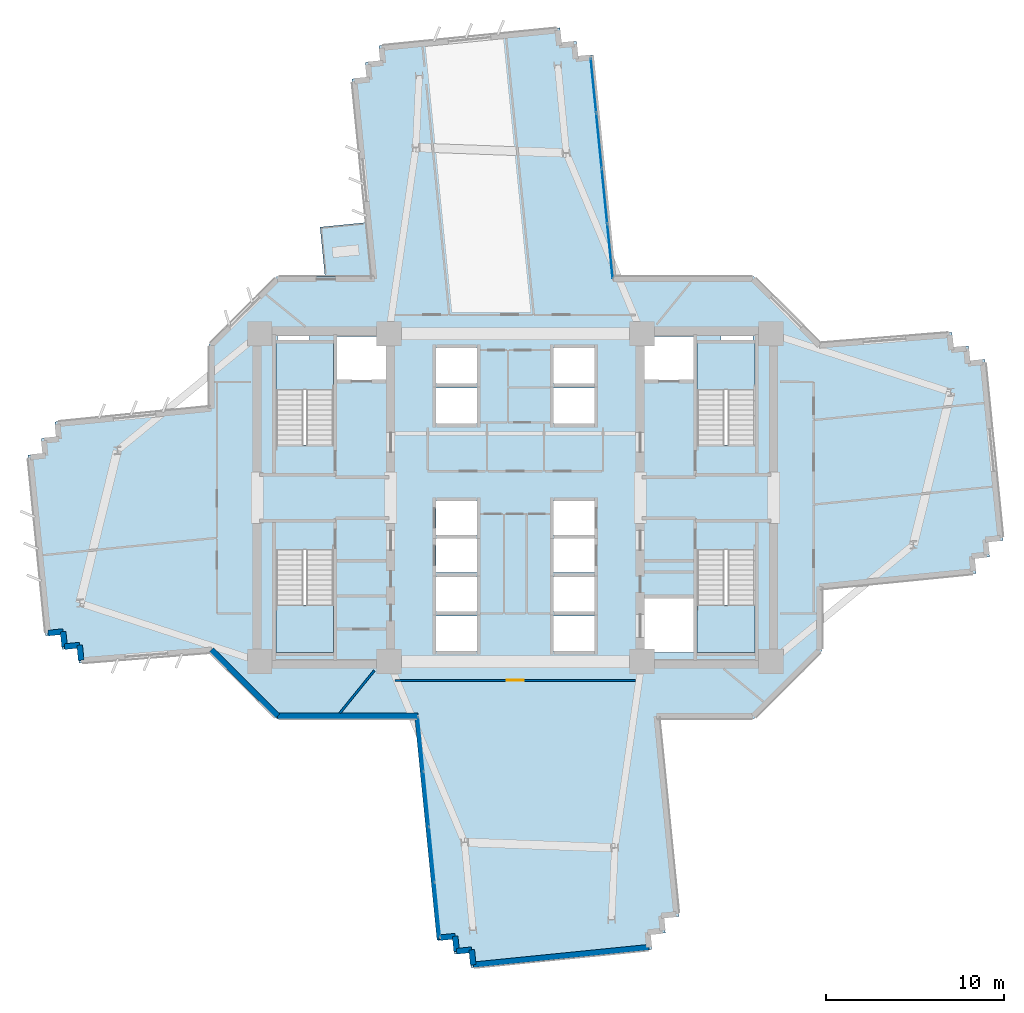
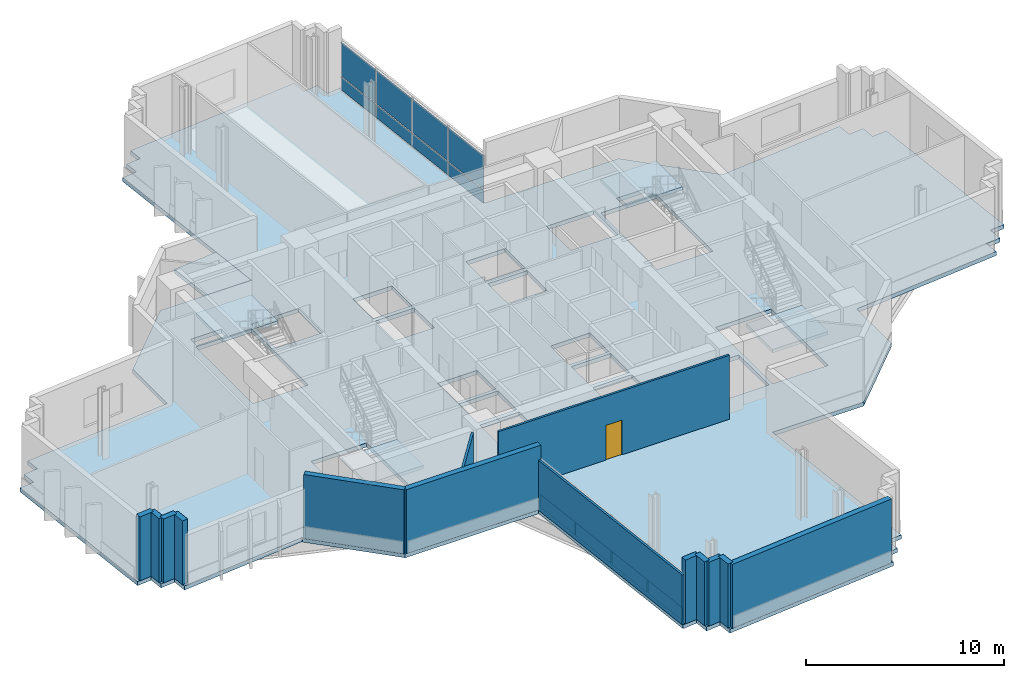
# One storey, part 5 of 14: 16 plates, 14 walls, 6 slabs, 1 door, 1 opening, 6 elements without a shape of their own.
"""IFC4 building model written with IfcOpenShell, lengths in metres."""

from ifc_helpers import new_model, si_unit, direction, frame, frame_2d, origin, origin_2d, place, context, subcontext, project, spatial, polyline, rectangle, outline, extrude, source, transform, mapped, material, layer, layer_set, type_object, element, fill, aggregate, save


model = new_model("IFC4")

# Units and contexts
model_context = context("Model", 3, precision=1e-05, world=origin(), true_north=direction((0.0, 1.0)))
body_context = subcontext(model_context, "Body", "Model", "MODEL_VIEW")
ifc_project = project(units=[si_unit("LENGTHUNIT", "METRE"), si_unit("AREAUNIT", "SQUARE_METRE"), si_unit("VOLUMEUNIT", "CUBIC_METRE"), si_unit("PLANEANGLEUNIT", "RADIAN"), si_unit("MASSUNIT", "GRAM", prefix="KILO")], contexts=[model_context])

# Site, building, storey
site_placement = place(None, origin())
site = spatial("IfcSite", under=ifc_project, at=site_placement, CompositionType="ELEMENT")
building_placement = place(site_placement, origin())
building = spatial("IfcBuilding", under=site, at=building_placement, Name="Zahravan Cultural Tower", CompositionType="ELEMENT")
storey_placement = place(building_placement, frame((0.0, 0.0, 92.10009765625)))
storey = spatial("IfcBuildingStorey", under=building, at=storey_placement, Name="L20", CompositionType="ELEMENT", Elevation=92.10009765625)

# Stair, slab
ifc_material_1 = material(Name="Concrete C45/55", Category="concrete")
stair_type = type_object("IfcStairType", Name="STR-DL-1550-420", PredefinedType="HALF_TURN_STAIR", material=ifc_material_1)
stair_1_placement = place(storey_placement, origin())
stair_1 = element("IfcStair", 1, at=stair_1_placement, inside=storey, type_object=stair_type, Name="L20 West Core North Exit Stair ST-W1", PredefinedType="HALF_TURN_STAIR")
ifc_layer_1 = layer(ifc_material_1, 0.199951171875)
ifc_layer_set_1 = layer_set([ifc_layer_1], Name="Concrete C45/55")
slab_type_1 = type_object("IfcSlabType", Name="SL-STAIR-LND200", PredefinedType="LANDING", material=ifc_layer_set_1)
slab_1_placement = place(storey_placement, frame((0.0, 0.0, 1.89990234375)))
slab_1 = element("IfcSlab", 2, at=slab_1_placement, type_object=slab_type_1, Name="ST-W1 landing 1", PredefinedType="LANDING", context=body_context, shape_type="SweptSolid", body=[
    extrude(outline(polyline([(25.800048828125, 33.030029296875), (25.800048828125, 35.699951171875), (22.550048828125, 35.699951171875), (22.550048828125, 33.030029296875), (25.800048828125, 33.030029296875)])), origin(), (0.0, 0.0, 1.0), 0.199951171875),
])
aggregate(stair_1, [slab_1])

stair_2_placement = place(storey_placement, origin())
stair_2 = element("IfcStair", 3, at=stair_2_placement, inside=storey, type_object=stair_type, Name="L20 West Core South Exit Stair ST-W2", PredefinedType="HALF_TURN_STAIR")
slab_2_placement = place(storey_placement, frame((0.0, 0.0, 1.89990234375)))
slab_2 = element("IfcSlab", 4, at=slab_2_placement, type_object=slab_type_1, Name="ST-W2 landing 1", PredefinedType="LANDING", context=body_context, shape_type="SweptSolid", body=[
    extrude(outline(polyline([(22.550048828125, 20.969970703125), (22.550048828125, 18.300048828125), (25.800048828125, 18.300048828125), (25.800048828125, 20.969970703125), (22.550048828125, 20.969970703125)])), origin(), (0.0, 0.0, 1.0), 0.199951171875),
])
aggregate(stair_2, [slab_2])

stair_3_placement = place(storey_placement, origin())
stair_3 = element("IfcStair", 5, at=stair_3_placement, inside=storey, type_object=stair_type, Name="L20 East Core North Exit Stair ST-E1", PredefinedType="HALF_TURN_STAIR")
slab_3_placement = place(storey_placement, frame((0.0, 0.0, 1.89990234375)))
slab_3 = element("IfcSlab", 6, at=slab_3_placement, type_object=slab_type_1, Name="ST-E1 landing 1", PredefinedType="LANDING", context=body_context, shape_type="SweptSolid", body=[
    extrude(outline(polyline([(49.449951171875, 33.030029296875), (49.449951171875, 35.699951171875), (46.199951171875, 35.699951171875), (46.199951171875, 33.030029296875), (49.449951171875, 33.030029296875)])), origin(), (0.0, 0.0, 1.0), 0.199951171875),
])
aggregate(stair_3, [slab_3])

stair_4_placement = place(storey_placement, origin())
stair_4 = element("IfcStair", 7, at=stair_4_placement, inside=storey, type_object=stair_type, Name="L20 East Core South Exit Stair ST-E2", PredefinedType="HALF_TURN_STAIR")
slab_4_placement = place(storey_placement, frame((0.0, 0.0, 1.89990234375)))
slab_4 = element("IfcSlab", 8, at=slab_4_placement, type_object=slab_type_1, Name="ST-E2 landing 1", PredefinedType="LANDING", context=body_context, shape_type="SweptSolid", body=[
    extrude(outline(polyline([(46.199951171875, 20.969970703125), (46.199951171875, 18.300048828125), (49.449951171875, 18.300048828125), (49.449951171875, 20.969970703125), (46.199951171875, 20.969970703125)])), origin(), (0.0, 0.0, 1.0), 0.199951171875),
])
aggregate(stair_4, [slab_4])

# Slabs
ifc_material_2 = material(Name="Concrete C40/50", Category="concrete")
ifc_layer_2 = layer(ifc_material_2, 0.239990234375)
ifc_layer_set_2 = layer_set([ifc_layer_2], Name="Concrete C40/50")
slab_type_2 = type_object("IfcSlabType", Name="SL-TERR-240", PredefinedType="FLOOR", material=ifc_layer_set_2)
slab_5_placement = place(storey_placement, frame((0.0, 0.0, -0.239990234375)))
element("IfcSlab", 9, at=slab_5_placement, inside=storey, type_object=slab_type_2, Name="L20 Planted Sculpture Terrace NW", PredefinedType="FLOOR", context=body_context, shape_type="SweptSolid", body=[
    extrude(outline(polyline([(25.03759765625, 42.186279296875), (25.315185546875, 39.405029296875), (27.923095703125, 39.405029296875), (27.61962890625, 42.444091796875), (25.03759765625, 42.186279296875)])), origin(), (0.0, 0.0, 1.0), 0.239990234375),
])
ifc_layer_3 = layer(ifc_material_2, 0.25)
ifc_layer_set_3 = layer_set([ifc_layer_3], Name="Concrete C40/50")
slab_type_3 = type_object("IfcSlabType", Name="SL-TYP-250", PredefinedType="FLOOR", material=ifc_layer_set_3)
slab_6_placement = place(storey_placement, frame((0.0, 0.0, -0.25)))
element("IfcSlab", 10, at=slab_6_placement, inside=storey, type_object=slab_type_3, Name="L20 Structural Floor Slab", PredefinedType="FLOOR", context=body_context, shape_type="SweptSolid", body=[
    extrude(outline(polyline([(53.199951171875, 35.550537109375), (53.199951171875, 35.60009765625), (49.39990234375, 39.39990234375), (41.59619140625, 39.39990234375), (40.352783203125, 51.855224609375), (39.507080078125, 51.770751953125), (39.422607421875, 52.61669921875), (38.576904296875, 52.5322265625), (38.492431640625, 53.3779296875), (28.343017578125, 52.364990234375), (28.42724609375, 51.51904296875), (27.58154296875, 51.434814453125), (27.666015625, 50.5888671875), (26.8203125, 50.50439453125), (27.928466796875, 39.39990234375), (22.60009765625, 39.39990234375), (18.800048828125, 35.60009765625), (18.800048828125, 32.116943359375), (10.149658203125, 31.253662109375), (10.234130859375, 30.40771484375), (9.38818359375, 30.323486328125), (9.472900390625, 29.4775390625), (8.626953125, 29.393310546875), (9.639892578125, 19.24365234375), (10.48583984375, 19.327880859375), (10.5703125, 18.482177734375), (11.416015625, 18.566650390625), (11.50048828125, 17.720703125), (18.800048828125, 18.449462890625), (18.800048828125, 18.39990234375), (22.60009765625, 14.60009765625), (30.40380859375, 14.60009765625), (31.647216796875, 2.144775390625), (32.492919921875, 2.229248046875), (32.577392578125, 1.38330078125), (33.423095703125, 1.4677734375), (33.507568359375, 0.6220703125), (43.656982421875, 1.635009765625), (43.57275390625, 2.48095703125), (44.41845703125, 2.565185546875), (44.333984375, 3.4111328125), (45.1796875, 3.49560546875), (44.071533203125, 14.60009765625), (49.39990234375, 14.60009765625), (53.199951171875, 18.39990234375), (53.199951171875, 21.883056640625), (61.850341796875, 22.746337890625), (61.765869140625, 23.59228515625), (62.61181640625, 23.676513671875), (62.527099609375, 24.5224609375), (63.373046875, 24.606689453125), (62.360107421875, 34.75634765625), (61.51416015625, 34.672119140625), (61.4296875, 35.517822265625), (60.583984375, 35.433349609375), (60.49951171875, 36.279296875), (53.199951171875, 35.550537109375)]), holes=[polyline([(22.550048828125, 29.949951171875), (22.550048828125, 35.699951171875), (25.800048828125, 35.699951171875), (25.800048828125, 29.949951171875), (22.550048828125, 29.949951171875)]), polyline([(22.550048828125, 18.300048828125), (22.550048828125, 24.050048828125), (25.800048828125, 24.050048828125), (25.800048828125, 18.300048828125), (22.550048828125, 18.300048828125)]), polyline([(46.199951171875, 29.949951171875), (46.199951171875, 35.699951171875), (49.449951171875, 35.699951171875), (49.449951171875, 29.949951171875), (46.199951171875, 29.949951171875)]), polyline([(46.199951171875, 18.300048828125), (46.199951171875, 24.050048828125), (49.449951171875, 24.050048828125), (49.449951171875, 18.300048828125), (46.199951171875, 18.300048828125)]), polyline([(26.0, 33.60009765625), (26.0, 36.050048828125), (28.75, 36.050048828125), (28.75, 33.60009765625), (26.0, 33.60009765625)]), polyline([(43.25, 33.60009765625), (43.25, 36.050048828125), (46.0, 36.050048828125), (46.0, 33.60009765625), (43.25, 33.60009765625)]), polyline([(43.25, 18.300048828125), (43.25, 21.35009765625), (46.0, 21.35009765625), (46.0, 18.300048828125), (43.25, 18.300048828125)]), polyline([(31.550048828125, 33.39990234375), (31.550048828125, 35.39990234375), (33.85009765625, 35.39990234375), (33.85009765625, 33.39990234375), (31.550048828125, 33.39990234375)]), polyline([(31.550048828125, 31.14990234375), (31.550048828125, 33.14990234375), (33.85009765625, 33.14990234375), (33.85009765625, 31.14990234375), (31.550048828125, 31.14990234375)]), polyline([(38.14990234375, 33.39990234375), (38.14990234375, 35.39990234375), (40.449951171875, 35.39990234375), (40.449951171875, 33.39990234375), (38.14990234375, 33.39990234375)]), polyline([(38.14990234375, 31.14990234375), (38.14990234375, 33.14990234375), (40.449951171875, 33.14990234375), (40.449951171875, 31.14990234375), (38.14990234375, 31.14990234375)]), polyline([(31.550048828125, 20.60009765625), (31.550048828125, 22.550048828125), (33.85009765625, 22.550048828125), (33.85009765625, 20.60009765625), (31.550048828125, 20.60009765625)]), polyline([(31.550048828125, 18.39990234375), (31.550048828125, 20.35009765625), (33.85009765625, 20.35009765625), (33.85009765625, 18.39990234375), (31.550048828125, 18.39990234375)]), polyline([(38.14990234375, 20.60009765625), (38.14990234375, 22.550048828125), (40.449951171875, 22.550048828125), (40.449951171875, 20.60009765625), (38.14990234375, 20.60009765625)]), polyline([(38.14990234375, 18.39990234375), (38.14990234375, 20.35009765625), (40.449951171875, 20.35009765625), (40.449951171875, 18.39990234375), (38.14990234375, 18.39990234375)]), polyline([(31.550048828125, 24.89990234375), (31.550048828125, 26.800048828125), (33.85009765625, 26.800048828125), (33.85009765625, 24.89990234375), (31.550048828125, 24.89990234375)]), polyline([(31.550048828125, 22.800048828125), (31.550048828125, 24.699951171875), (33.85009765625, 24.699951171875), (33.85009765625, 22.800048828125), (31.550048828125, 22.800048828125)]), polyline([(38.14990234375, 24.89990234375), (38.14990234375, 26.800048828125), (40.449951171875, 26.800048828125), (40.449951171875, 24.89990234375), (38.14990234375, 24.89990234375)]), polyline([(38.14990234375, 22.800048828125), (38.14990234375, 24.699951171875), (40.449951171875, 24.699951171875), (40.449951171875, 22.800048828125), (38.14990234375, 22.800048828125)]), polyline([(22.64990234375, 35.800048828125), (22.64990234375, 36.419921875), (24.449951171875, 36.419921875), (24.449951171875, 35.800048828125), (22.64990234375, 35.800048828125)]), polyline([(47.550048828125, 35.800048828125), (47.550048828125, 36.419921875), (49.35009765625, 36.419921875), (49.35009765625, 35.800048828125), (47.550048828125, 35.800048828125)])]), origin(), (0.0, 0.0, 1.0), 0.25),
])

# Curtain wall, plates
ifc_material_3 = material(Name="Anodised bronze-aluminium mullion", Category="aluminium")
ifc_layer_4 = layer(ifc_material_3, 0.179931640625)
ifc_layer_set_4 = layer_set([ifc_layer_4], Name="Anodised bronze-aluminium mullion")
curtain_wall_type_1 = type_object("IfcCurtainWallType", Name="CW-SYS-3", PredefinedType="USERDEFINED", material=ifc_layer_set_4)
curtain_wall_1_placement = place(storey_placement, origin())
curtain_wall_1 = element("IfcCurtainWall", 11, at=curtain_wall_1_placement, inside=storey, type_object=curtain_wall_type_1, Name="L20 Recessed Curtain Wall CW-3.1", ObjectType="RECESSED GLAZING", PredefinedType="USERDEFINED")
ifc_material_4 = material(Name="Low-E solar-control double glazing", Category="glass")
ifc_layer_5 = layer(ifc_material_4, 0.028076171875)
ifc_layer_set_5 = layer_set([ifc_layer_5], Name="Low-E solar-control double glazing")
plate_type_1 = type_object("IfcPlateType", Name="CWP-CW-3", PredefinedType="CURTAIN_PANEL", material=ifc_layer_set_5)
shared_shape_1 = source(origin(), body_context, "Body", "SweptSolid", [
    extrude(rectangle(XDim=3.02099609375, YDim=0.028076171875, at=origin_2d()), origin(), (0.0, 0.0, 1.0), 0.794921875),
])
plate_1_placement = place(storey_placement, frame((40.384521484375, 50.12939453125, 0.06982421875), z_axis=(0.0, 0.0, 1.0), x_axis=(0.099321594883, -0.99505538579, 0.0)))
plate_1 = element("IfcPlate", 12, at=plate_1_placement, type_object=plate_type_1, Name="CW-3 panel 1.1", PredefinedType="CURTAIN_PANEL", context=body_context, shape_type="MappedRepresentation", body=[
    mapped(shared_shape_1, transform((0.0, 0.0, 0.0), x_axis=(1.0, 0.0, 0.0), y_axis=(0.0, 1.0, 0.0), z_axis=(0.0, 0.0, 1.0), scale=1.0)),
])
plate_2_placement = place(storey_placement, frame((41.3125, 40.832763671875, 0.06982421875), z_axis=(0.0, 0.0, 1.0), x_axis=(0.099321594883, -0.99505538579, 0.0)))
plate_2 = element("IfcPlate", 13, at=plate_2_placement, type_object=plate_type_1, Name="CW-3 panel 4.1", PredefinedType="CURTAIN_PANEL", context=body_context, shape_type="MappedRepresentation", body=[
    mapped(shared_shape_1, transform((0.0, 0.0, 0.0), x_axis=(1.0, 0.0, 0.0), y_axis=(0.0, 1.0, 0.0), z_axis=(0.0, 0.0, 1.0), scale=1.0)),
])
shared_shape_2 = source(origin(), body_context, "Body", "SweptSolid", [
    extrude(rectangle(XDim=3.02099609375, YDim=0.028076171875, at=origin_2d()), origin(), (0.0, 0.0, 1.0), 2.06494140625),
])
plate_3_placement = place(storey_placement, frame((40.384521484375, 50.12939453125, 0.934814453125), z_axis=(0.0, 0.0, 1.0), x_axis=(0.099321594883, -0.99505538579, 0.0)))
plate_3 = element("IfcPlate", 14, at=plate_3_placement, type_object=plate_type_1, Name="CW-3 panel 1.2", PredefinedType="CURTAIN_PANEL", context=body_context, shape_type="MappedRepresentation", body=[
    mapped(shared_shape_2, transform((0.0, 0.0, 0.0), x_axis=(1.0, 0.0, 0.0), y_axis=(0.0, 1.0, 0.0), z_axis=(0.0, 0.0, 1.0), scale=1.0)),
])
plate_4_placement = place(storey_placement, frame((41.3125, 40.832763671875, 0.934814453125), z_axis=(0.0, 0.0, 1.0), x_axis=(0.099321594883, -0.99505538579, 0.0)))
plate_4 = element("IfcPlate", 15, at=plate_4_placement, type_object=plate_type_1, Name="CW-3 panel 4.2", PredefinedType="CURTAIN_PANEL", context=body_context, shape_type="MappedRepresentation", body=[
    mapped(shared_shape_2, transform((0.0, 0.0, 0.0), x_axis=(1.0, 0.0, 0.0), y_axis=(0.0, 1.0, 0.0), z_axis=(0.0, 0.0, 1.0), scale=1.0)),
])
shared_shape_3 = source(origin(), body_context, "Body", "SweptSolid", [
    extrude(rectangle(XDim=3.055908203125, YDim=0.028076171875, at=origin_2d()), origin(), (0.0, 0.0, 1.0), 0.794921875),
])
plate_5_placement = place(storey_placement, frame((40.693115234375, 47.0361328125, 0.06982421875), z_axis=(0.0, 0.0, 1.0), x_axis=(0.099321594883, -0.99505538579, 0.0)))
plate_5 = element("IfcPlate", 16, at=plate_5_placement, type_object=plate_type_1, Name="CW-3 panel 2.1", PredefinedType="CURTAIN_PANEL", context=body_context, shape_type="MappedRepresentation", body=[
    mapped(shared_shape_3, transform((0.0, 0.0, 0.0), x_axis=(1.0, 0.0, 0.0), y_axis=(0.0, 1.0, 0.0), z_axis=(0.0, 0.0, 1.0), scale=1.0)),
])
plate_6_placement = place(storey_placement, frame((41.003662109375, 43.92578125, 0.06982421875), z_axis=(0.0, 0.0, 1.0), x_axis=(0.099321594883, -0.99505538579, 0.0)))
plate_6 = element("IfcPlate", 17, at=plate_6_placement, type_object=plate_type_1, Name="CW-3 panel 3.1", PredefinedType="CURTAIN_PANEL", context=body_context, shape_type="MappedRepresentation", body=[
    mapped(shared_shape_3, transform((0.0, 0.0, 0.0), x_axis=(1.0, 0.0, 0.0), y_axis=(0.0, 1.0, 0.0), z_axis=(0.0, 0.0, 1.0), scale=1.0)),
])
shared_shape_4 = source(origin(), body_context, "Body", "SweptSolid", [
    extrude(rectangle(XDim=3.055908203125, YDim=0.028076171875, at=origin_2d()), origin(), (0.0, 0.0, 1.0), 2.06494140625),
])
plate_7_placement = place(storey_placement, frame((40.693115234375, 47.0361328125, 0.934814453125), z_axis=(0.0, 0.0, 1.0), x_axis=(0.099321594883, -0.99505538579, 0.0)))
plate_7 = element("IfcPlate", 18, at=plate_7_placement, type_object=plate_type_1, Name="CW-3 panel 2.2", PredefinedType="CURTAIN_PANEL", context=body_context, shape_type="MappedRepresentation", body=[
    mapped(shared_shape_4, transform((0.0, 0.0, 0.0), x_axis=(1.0, 0.0, 0.0), y_axis=(0.0, 1.0, 0.0), z_axis=(0.0, 0.0, 1.0), scale=1.0)),
])
plate_8_placement = place(storey_placement, frame((41.003662109375, 43.92578125, 0.934814453125), z_axis=(0.0, 0.0, 1.0), x_axis=(0.099321594883, -0.99505538579, 0.0)))
plate_8 = element("IfcPlate", 19, at=plate_8_placement, type_object=plate_type_1, Name="CW-3 panel 3.2", PredefinedType="CURTAIN_PANEL", context=body_context, shape_type="MappedRepresentation", body=[
    mapped(shared_shape_4, transform((0.0, 0.0, 0.0), x_axis=(1.0, 0.0, 0.0), y_axis=(0.0, 1.0, 0.0), z_axis=(0.0, 0.0, 1.0), scale=1.0)),
])
aggregate(curtain_wall_1, [plate_1, plate_3, plate_5, plate_7, plate_6, plate_8, plate_2, plate_4])

ifc_layer_6 = layer(ifc_material_3, 0.1650390625)
ifc_layer_set_6 = layer_set([ifc_layer_6], Name="Anodised bronze-aluminium mullion")
curtain_wall_type_2 = type_object("IfcCurtainWallType", Name="CW-SYS-4", PredefinedType="USERDEFINED", material=ifc_layer_set_6)
curtain_wall_2_placement = place(storey_placement, origin())
curtain_wall_2 = element("IfcCurtainWall", 20, at=curtain_wall_2_placement, inside=storey, type_object=curtain_wall_type_2, Name="L20 Recessed Curtain Wall CW-4.2", ObjectType="RECESSED GLAZING", PredefinedType="USERDEFINED")
ifc_layer_7 = layer(ifc_material_4, 0.02587890625)
ifc_layer_set_7 = layer_set([ifc_layer_7], Name="Low-E solar-control double glazing")
plate_type_2 = type_object("IfcPlateType", Name="CWP-CW-4", PredefinedType="CURTAIN_PANEL", material=ifc_layer_set_7)
shared_shape_5 = source(origin(), body_context, "Body", "SweptSolid", [
    extrude(rectangle(XDim=3.028564453125, YDim=0.02587890625, at=origin_2d()), origin(), (0.0, 0.0, 1.0), 0.802490234375),
])
plate_9_placement = place(storey_placement, frame((31.61572265625, 3.869384765625, 0.06494140625), z_axis=(0.0, 0.0, 1.0), x_axis=(-0.099321594883, 0.99505538579, 0.0)))
plate_9 = element("IfcPlate", 21, at=plate_9_placement, type_object=plate_type_2, Name="CW-4 panel 1.1", PredefinedType="CURTAIN_PANEL", context=body_context, shape_type="MappedRepresentation", body=[
    mapped(shared_shape_5, transform((0.0, 0.0, 0.0), x_axis=(1.0, 0.0, 0.0), y_axis=(0.0, 1.0, 0.0), z_axis=(0.0, 0.0, 1.0), scale=1.0)),
])
plate_10_placement = place(storey_placement, frame((30.6875, 13.168701171875, 0.06494140625), z_axis=(0.0, 0.0, 1.0), x_axis=(-0.099321594883, 0.99505538579, 0.0)))
plate_10 = element("IfcPlate", 22, at=plate_10_placement, type_object=plate_type_2, Name="CW-4 panel 4.1", PredefinedType="CURTAIN_PANEL", context=body_context, shape_type="MappedRepresentation", body=[
    mapped(shared_shape_5, transform((0.0, 0.0, 0.0), x_axis=(1.0, 0.0, 0.0), y_axis=(0.0, 1.0, 0.0), z_axis=(0.0, 0.0, 1.0), scale=1.0)),
])
shared_shape_6 = source(origin(), body_context, "Body", "SweptSolid", [
    extrude(rectangle(XDim=3.028564453125, YDim=0.02587890625, at=origin_2d()), origin(), (0.0, 0.0, 1.0), 2.072509765625),
])
plate_11_placement = place(storey_placement, frame((31.61572265625, 3.869384765625, 0.9326171875), z_axis=(0.0, 0.0, 1.0), x_axis=(-0.099321594883, 0.99505538579, 0.0)))
plate_11 = element("IfcPlate", 23, at=plate_11_placement, type_object=plate_type_2, Name="CW-4 panel 1.2", PredefinedType="CURTAIN_PANEL", context=body_context, shape_type="MappedRepresentation", body=[
    mapped(shared_shape_6, transform((0.0, 0.0, 0.0), x_axis=(1.0, 0.0, 0.0), y_axis=(0.0, 1.0, 0.0), z_axis=(0.0, 0.0, 1.0), scale=1.0)),
])
plate_12_placement = place(storey_placement, frame((30.6875, 13.168701171875, 0.9326171875), z_axis=(0.0, 0.0, 1.0), x_axis=(-0.099321594883, 0.99505538579, 0.0)))
plate_12 = element("IfcPlate", 24, at=plate_12_placement, type_object=plate_type_2, Name="CW-4 panel 4.2", PredefinedType="CURTAIN_PANEL", context=body_context, shape_type="MappedRepresentation", body=[
    mapped(shared_shape_6, transform((0.0, 0.0, 0.0), x_axis=(1.0, 0.0, 0.0), y_axis=(0.0, 1.0, 0.0), z_axis=(0.0, 0.0, 1.0), scale=1.0)),
])
shared_shape_7 = source(origin(), body_context, "Body", "SweptSolid", [
    extrude(rectangle(XDim=3.06103515625, YDim=0.02587890625, at=origin_2d()), origin(), (0.0, 0.0, 1.0), 0.802490234375),
])
plate_13_placement = place(storey_placement, frame((31.306884765625, 6.9638671875, 0.06494140625), z_axis=(0.0, 0.0, 1.0), x_axis=(-0.099321594883, 0.99505538579, 0.0)))
plate_13 = element("IfcPlate", 25, at=plate_13_placement, type_object=plate_type_2, Name="CW-4 panel 2.1", PredefinedType="CURTAIN_PANEL", context=body_context, shape_type="MappedRepresentation", body=[
    mapped(shared_shape_7, transform((0.0, 0.0, 0.0), x_axis=(1.0, 0.0, 0.0), y_axis=(0.0, 1.0, 0.0), z_axis=(0.0, 0.0, 1.0), scale=1.0)),
])
plate_14_placement = place(storey_placement, frame((30.996337890625, 10.07421875, 0.06494140625), z_axis=(0.0, 0.0, 1.0), x_axis=(-0.099321594883, 0.99505538579, 0.0)))
plate_14 = element("IfcPlate", 26, at=plate_14_placement, type_object=plate_type_2, Name="CW-4 panel 3.1", PredefinedType="CURTAIN_PANEL", context=body_context, shape_type="MappedRepresentation", body=[
    mapped(shared_shape_7, transform((0.0, 0.0, 0.0), x_axis=(1.0, 0.0, 0.0), y_axis=(0.0, 1.0, 0.0), z_axis=(0.0, 0.0, 1.0), scale=1.0)),
])
shared_shape_8 = source(origin(), body_context, "Body", "SweptSolid", [
    extrude(rectangle(XDim=3.06103515625, YDim=0.02587890625, at=origin_2d()), origin(), (0.0, 0.0, 1.0), 2.072509765625),
])
plate_15_placement = place(storey_placement, frame((31.306884765625, 6.9638671875, 0.9326171875), z_axis=(0.0, 0.0, 1.0), x_axis=(-0.099321594883, 0.99505538579, 0.0)))
plate_15 = element("IfcPlate", 27, at=plate_15_placement, type_object=plate_type_2, Name="CW-4 panel 2.2", PredefinedType="CURTAIN_PANEL", context=body_context, shape_type="MappedRepresentation", body=[
    mapped(shared_shape_8, transform((0.0, 0.0, 0.0), x_axis=(1.0, 0.0, 0.0), y_axis=(0.0, 1.0, 0.0), z_axis=(0.0, 0.0, 1.0), scale=1.0)),
])
plate_16_placement = place(storey_placement, frame((30.996337890625, 10.07421875, 0.9326171875), z_axis=(0.0, 0.0, 1.0), x_axis=(-0.099321594883, 0.99505538579, 0.0)))
plate_16 = element("IfcPlate", 28, at=plate_16_placement, type_object=plate_type_2, Name="CW-4 panel 3.2", PredefinedType="CURTAIN_PANEL", context=body_context, shape_type="MappedRepresentation", body=[
    mapped(shared_shape_8, transform((0.0, 0.0, 0.0), x_axis=(1.0, 0.0, 0.0), y_axis=(0.0, 1.0, 0.0), z_axis=(0.0, 0.0, 1.0), scale=1.0)),
])
aggregate(curtain_wall_2, [plate_9, plate_11, plate_13, plate_15, plate_14, plate_16, plate_10, plate_12])

# Wall, opening, door
ifc_material_5 = material(Name="Gypsum plasterboard partition")
ifc_layer_8 = layer(ifc_material_5, 0.125)
ifc_layer_set_8 = layer_set([ifc_layer_8], Name="Gypsum plasterboard partition")
wall_type_1 = type_object("IfcWallType", Name="W-PART-125", PredefinedType="PARTITIONING", material=ifc_layer_set_8)
wall_1_placement = place(storey_placement, frame((29.255859375, 16.739990234375, 0.0), z_axis=(0.0, 0.0, 1.0), x_axis=(1.0, 0.0, 0.0)))
wall_1 = element("IfcWall", 29, at=wall_1_placement, inside=storey, type_object=wall_type_1, Name="L20 Interior Wall 114", PredefinedType="PARTITIONING", context=body_context, shape_type="SweptSolid", body=[
    extrude(rectangle(XDim=13.48828125, YDim=0.125, at=frame_2d((6.744140625, 0.0))), origin(), (0.0, 0.0, 1.0), 3.949951171875),
])
opening_placement = place(wall_1_placement, frame((6.26904296875, 0.0, 0.0)))
opening = element("IfcOpeningElement", 30, at=opening_placement, cuts=wall_1, Name="Opening D-L20-29", PredefinedType="OPENING", context=body_context, shape_type="SweptSolid", body=[
    extrude(rectangle(XDim=0.949951171875, YDim=2.14990234375, at=frame_2d((0.47509765625, 1.074951171875))), frame((0.0, 0.072509765625, 0.0), z_axis=(0.0, -1.0, 0.0), x_axis=(1.0, 0.0, 0.0)), (0.0, 0.0, 1.0), 0.14501953125),
])
door_type = type_object("IfcDoorType", Name="DR-ROOM-950", OperationType="NOTDEFINED", PredefinedType="DOOR", material=ifc_material_3)
shared_shape_9 = source(origin(), body_context, "Body", "SweptSolid", [
    extrude(rectangle(XDim=0.949951171875, YDim=2.14990234375, at=frame_2d((0.47509765625, 1.074951171875))), frame((0.0, 0.02490234375, 0.0), z_axis=(0.0, -1.0, 0.0), x_axis=(1.0, 0.0, 0.0)), (0.0, 0.0, 1.0), 0.050048828125),
])
door_placement = place(opening_placement, origin())
door = element("IfcDoor", 31, at=door_placement, inside=storey, type_object=door_type, Name="L20 Door D-L20-29", OperationType="SINGLE_SWING_RIGHT", OverallHeight=2.14990234375, OverallWidth=0.949951171875, PredefinedType="DOOR", context=body_context, shape_type="MappedRepresentation", body=[
    mapped(shared_shape_9, transform((0.0, 0.0, 0.0), x_axis=(1.0, 0.0, 0.0), y_axis=(0.0, 1.0, 0.0), z_axis=(0.0, 0.0, 1.0), scale=1.0)),
])
fill(opening, door)

# Walls
ifc_material_6 = material(Name="Precast concrete C40/50", Category="concrete")
ifc_layer_9 = layer(ifc_material_6, 0.320068359375)
ifc_layer_set_9 = layer_set([ifc_layer_9], Name="Precast concrete C40/50")
wall_type_2 = type_object("IfcWallType", Name="EW-TC-320", PredefinedType="SOLIDWALL", material=ifc_layer_set_9)
shared_shape_10 = source(origin(), body_context, "Body", "SweptSolid", [
    extrude(rectangle(XDim=0.849853515625, YDim=0.320068359375, at=frame_2d((0.4248046875, 0.0))), origin(), (0.0, 0.0, 1.0), 3.949951171875),
])
for number, where, z_axis, x_axis, name in (
    (32, (11.6259765625, 17.8740234375, 0.0), (0.0, 0.0, 1.0), (-0.09938995433, 0.995048560111, 0.0), "L20 Exterior Masonry Frame Wall 02"),
    (33, (10.695556640625, 18.635498046875, 0.0), (0.0, 0.0, 1.0), (-0.09938995433, 0.995048560111, 0.0), "L20 Exterior Masonry Frame Wall 04"),
    (34, (10.611083984375, 19.481201171875, 0.0), (0.0, 0.0, 1.0), (-0.995048560111, -0.09938995433, 0.0), "L20 Exterior Masonry Frame Wall 05"),
    (35, (32.70263671875, 1.53662109375, 0.0), (0.0, 0.0, 1.0), (-0.099105525559, 0.995076929088, 0.0), "L20 Exterior Masonry Frame Wall 49"),
):
    element("IfcWall", number, at=place(storey_placement, frame(where, z_axis=z_axis, x_axis=x_axis)), inside=storey, type_object=wall_type_2, Name=name, PredefinedType="SOLIDWALL", context=body_context, shape_type="MappedRepresentation", body=[
        mapped(shared_shape_10, transform((0.0, 0.0, 0.0), x_axis=(1.0, 0.0, 0.0), y_axis=(0.0, 1.0, 0.0), z_axis=(0.0, 0.0, 1.0), scale=1.0)),
    ])
shared_shape_11 = source(origin(), body_context, "Body", "SweptSolid", [
    extrude(rectangle(XDim=0.85009765625, YDim=0.320068359375, at=frame_2d((0.425048828125, 0.0))), origin(), (0.0, 0.0, 1.0), 3.949951171875),
])
for number, where, z_axis, x_axis, name in (
    (36, (11.54150390625, 18.7197265625, 0.0), (0.0, 0.0, 1.0), (-0.995079749343, -0.09907720448, 0.0), "L20 Exterior Masonry Frame Wall 03"),
    (37, (33.6328125, 0.775146484375, 0.0), (0.0, 0.0, 1.0), (-0.09907720448, 0.995079749343, 0.0), "L20 Exterior Masonry Frame Wall 47"),
    (38, (33.548583984375, 1.62109375, 0.0), (0.0, 0.0, 1.0), (-0.995051396496, -0.099361553589, 0.0), "L20 Exterior Masonry Frame Wall 48"),
    (39, (32.618408203125, 2.38232421875, 0.0), (0.0, 0.0, 1.0), (-0.995079749343, -0.09907720448, 0.0), "L20 Exterior Masonry Frame Wall 50"),
):
    element("IfcWall", number, at=place(storey_placement, frame(where, z_axis=z_axis, x_axis=x_axis)), inside=storey, type_object=wall_type_2, Name=name, PredefinedType="SOLIDWALL", context=body_context, shape_type="MappedRepresentation", body=[
        mapped(shared_shape_11, transform((0.0, 0.0, 0.0), x_axis=(1.0, 0.0, 0.0), y_axis=(0.0, 1.0, 0.0), z_axis=(0.0, 0.0, 1.0), scale=1.0)),
    ])
shared_shape_12 = source(origin(), body_context, "Body", "SweptSolid", [
    extrude(rectangle(XDim=5.258056640625, YDim=0.320068359375, at=frame_2d((2.62890625, 0.0))), origin(), (0.0, 0.0, 1.0), 3.949951171875),
])
wall_2_placement = place(storey_placement, frame((22.657958984375, 14.739990234375, 0.0), z_axis=(0.0, 0.0, 1.0), x_axis=(-0.707106781187, 0.707106781187, 0.0)))
element("IfcWall", 40, at=wall_2_placement, inside=storey, type_object=wall_type_2, Name="L20 Exterior Masonry Frame Wall 52", PredefinedType="SOLIDWALL", context=body_context, shape_type="MappedRepresentation", body=[
    mapped(shared_shape_12, transform((0.0, 0.0, 0.0), x_axis=(1.0, 0.0, 0.0), y_axis=(0.0, 1.0, 0.0), z_axis=(0.0, 0.0, 1.0), scale=1.0)),
])
shared_shape_13 = source(origin(), body_context, "Body", "SweptSolid", [
    extrude(rectangle(XDim=9.920166015625, YDim=0.320068359375, at=frame_2d((4.9599609375, 0.0))), origin(), (0.0, 0.0, 1.0), 3.949951171875),
])
wall_3_placement = place(storey_placement, frame((43.50390625, 1.760498046875, 0.0), z_axis=(0.0, 0.0, 1.0), x_axis=(-0.995054718915, -0.09932827576, 0.0)))
element("IfcWall", 41, at=wall_3_placement, inside=storey, type_object=wall_type_2, Name="L20 Exterior Masonry Frame Wall 46", PredefinedType="SOLIDWALL", context=body_context, shape_type="MappedRepresentation", body=[
    mapped(shared_shape_13, transform((0.0, 0.0, 0.0), x_axis=(1.0, 0.0, 0.0), y_axis=(0.0, 1.0, 0.0), z_axis=(0.0, 0.0, 1.0), scale=1.0)),
])
shared_shape_14 = source(origin(), body_context, "Body", "SweptSolid", [
    extrude(rectangle(XDim=7.87255859375, YDim=0.320068359375, at=frame_2d((3.936279296875, 0.0))), origin(), (0.0, 0.0, 1.0), 3.949951171875),
])
wall_4_placement = place(storey_placement, frame((30.530517578125, 14.739990234375, 0.0), z_axis=(0.0, 0.0, 1.0), x_axis=(-1.0, 0.0, 0.0)))
element("IfcWall", 42, at=wall_4_placement, inside=storey, type_object=wall_type_2, Name="L20 Exterior Masonry Frame Wall 51", PredefinedType="SOLIDWALL", context=body_context, shape_type="MappedRepresentation", body=[
    mapped(shared_shape_14, transform((0.0, 0.0, 0.0), x_axis=(1.0, 0.0, 0.0), y_axis=(0.0, 1.0, 0.0), z_axis=(0.0, 0.0, 1.0), scale=1.0)),
])
shared_shape_15 = source(origin(), body_context, "Body", "SweptSolid", [
    extrude(rectangle(XDim=3.072021484375, YDim=0.125, at=frame_2d((1.5361328125, 0.0))), origin(), (0.0, 0.0, 1.0), 3.949951171875),
])
wall_5_placement = place(storey_placement, frame((28.080078125, 17.291259765625, 0.0), z_axis=(0.0, 0.0, 1.0), x_axis=(-0.629760486176, -0.776789373029, 0.0)))
element("IfcWall", 43, at=wall_5_placement, inside=storey, type_object=wall_type_1, Name="L20 Interior Wall 106", PredefinedType="PARTITIONING", context=body_context, shape_type="MappedRepresentation", body=[
    mapped(shared_shape_15, transform((0.0, 0.0, 0.0), x_axis=(1.0, 0.0, 0.0), y_axis=(0.0, 1.0, 0.0), z_axis=(0.0, 0.0, 1.0), scale=1.0)),
])
shared_shape_16 = source(origin(), body_context, "Body", "SweptSolid", [
    extrude(rectangle(XDim=12.470458984375, YDim=0.125, at=frame_2d((6.2353515625, 0.0))), origin(), (0.0, 0.0, 1.0), 3.079833984375),
])
wall_6_placement = place(storey_placement, frame((31.6650390625, 2.16650390625, 0.0), z_axis=(0.0, 0.0, 1.0), x_axis=(-0.099590945301, 0.99502846372, 0.0)))
element("IfcWall", 44, at=wall_6_placement, inside=storey, type_object=wall_type_1, Name="L20 Interior Wall 115", PredefinedType="PARTITIONING", context=body_context, shape_type="MappedRepresentation", body=[
    mapped(shared_shape_16, transform((0.0, 0.0, 0.0), x_axis=(1.0, 0.0, 0.0), y_axis=(0.0, 1.0, 0.0), z_axis=(0.0, 0.0, 1.0), scale=1.0)),
])

save(model, "model.ifc")
